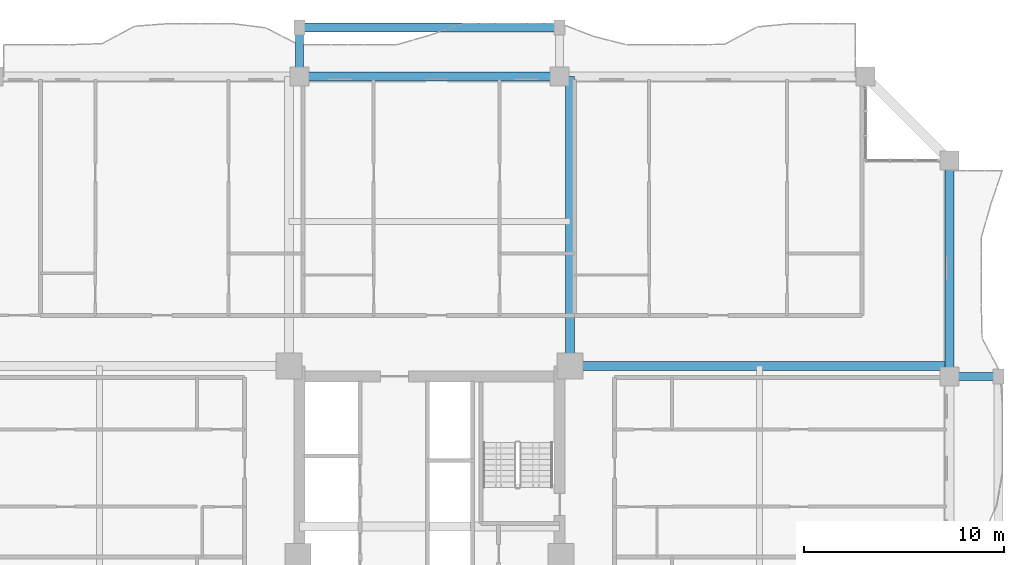
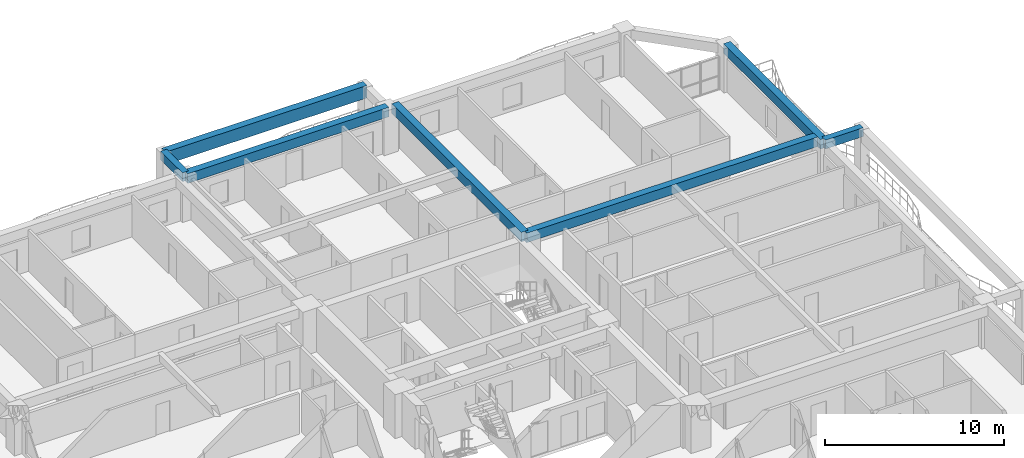
# One storey, part 9 of 25: 7 beams.
"""IFC4 building model written with IfcOpenShell, lengths in metres."""

from ifc_helpers import new_model, si_unit, direction, frame, origin, origin_2d, place, context, subcontext, project, spatial, rectangle, extrude, source, transform, mapped, material, material_profile, profile_set, type_object, element, save


model = new_model("IFC4")

# Units and contexts
model_context = context("Model", 3, precision=1e-05, world=origin(), true_north=direction((0.0, 1.0)))
body_context = subcontext(model_context, "Body", "Model", "MODEL_VIEW")
ifc_project = project(units=[si_unit("LENGTHUNIT", "METRE"), si_unit("AREAUNIT", "SQUARE_METRE"), si_unit("VOLUMEUNIT", "CUBIC_METRE"), si_unit("PLANEANGLEUNIT", "RADIAN"), si_unit("MASSUNIT", "GRAM", prefix="KILO")], contexts=[model_context])

# Site, building, storey
site_placement = place(None, origin())
site = spatial("IfcSite", under=ifc_project, at=site_placement, CompositionType="ELEMENT")
building_placement = place(site_placement, origin())
building = spatial("IfcBuilding", under=site, at=building_placement, Name="Saelheon Loggia Tower", CompositionType="ELEMENT")
storey_placement = place(building_placement, frame((0.0, 0.0, 80.85009765625)))
storey = spatial("IfcBuildingStorey", under=building, at=storey_placement, Name="L25", CompositionType="ELEMENT", Elevation=80.85009765625)

# Beams
ifc_material_1 = material(Name="Precast Concrete C45/55", Category="concrete")
ifc_material_profile_1 = material_profile(ifc_material_1, rectangle(XDim=0.449951171875, YDim=0.85009765625, at=origin_2d()), Name="RC-450x850")
ifc_profile_set_1 = profile_set([ifc_material_profile_1], Name="Precast Concrete C45/55")
beam_type_1 = type_object("IfcBeamType", Name="Beam_LoggiaSpandrel_RC450x850", PredefinedType="SPANDREL", material=ifc_profile_set_1)
shared_shape_1 = source(origin(), body_context, "Body", "SweptSolid", [
    extrude(rectangle(XDim=0.449951171875, YDim=0.85009765625, at=origin_2d()), origin(), (0.0, 0.0, 1.0), 13.0),
])
beam_1_placement = place(storey_placement, frame((31.5, 53.449951171875, 2.574951171875), z_axis=(1.0, 0.0, 0.0), x_axis=(0.0, 1.0, 0.0)))
element("IfcBeam", 1, at=beam_1_placement, inside=storey, type_object=beam_type_1, Name="L25 Loggia Spandrel Beam N", PredefinedType="SPANDREL", context=body_context, shape_type="MappedRepresentation", body=[
    mapped(shared_shape_1, transform((0.0, 0.0, 0.0), scale=1.0)),
])
ifc_material_profile_2 = material_profile(ifc_material_1, rectangle(XDim=0.39990234375, YDim=0.60009765625, at=origin_2d()), Name="RC-400x600")
ifc_profile_set_2 = profile_set([ifc_material_profile_2], Name="Precast Concrete C45/55")
beam_type_2 = type_object("IfcBeamType", Name="Beam_LoggiaTie_RC400x600", PredefinedType="BEAM", material=ifc_profile_set_2)
shared_shape_2 = source(origin(), body_context, "Body", "SweptSolid", [
    extrude(rectangle(XDim=0.39990234375, YDim=0.60009765625, at=origin_2d()), origin(), (0.0, 0.0, 1.0), 2.449951171875),
])
for number, where, z_axis, x_axis, name in (
    (2, (31.5, 51.0, 2.699951171875), (0.0, 1.0, 0.0), (-1.0, 0.0, 0.0), "L25 Loggia Frame Tie Beam LP-N1"),
    (3, (64.0, 36.0, 2.699951171875), (1.0, 0.0, 0.0), (0.0, 1.0, 0.0), "L25 Loggia Frame Tie Beam LP-E2"),
):
    element("IfcBeam", number, at=place(storey_placement, frame(where, z_axis=z_axis, x_axis=x_axis)), inside=storey, type_object=beam_type_2, Name=name, PredefinedType="BEAM", context=body_context, shape_type="MappedRepresentation", body=[
        mapped(shared_shape_2, transform((0.0, 0.0, 0.0), scale=1.0)),
    ])
ifc_material_2 = material(Name="Concrete C40/50", Category="concrete")
ifc_material_profile_3 = material_profile(ifc_material_2, rectangle(XDim=0.449951171875, YDim=0.64990234375, at=origin_2d()), Name="RC-450x650")
ifc_profile_set_3 = profile_set([ifc_material_profile_3], Name="Concrete C40/50")
beam_type_3 = type_object("IfcBeamType", Name="Beam_PerimTower_RC450x650", PredefinedType="BEAM", material=ifc_profile_set_3)
shared_shape_3 = source(origin(), body_context, "Body", "SweptSolid", [
    extrude(rectangle(XDim=0.449951171875, YDim=0.64990234375, at=origin_2d()), origin(), (0.0, 0.0, 1.0), 13.0),
])
beam_2_placement = place(storey_placement, frame((44.5, 51.0, 2.6748046875), z_axis=(-1.0, 0.0, 0.0), x_axis=(0.0, -1.0, 0.0)))
element("IfcBeam", 4, at=beam_2_placement, inside=storey, type_object=beam_type_3, Name="L25 Perimeter Frame Girder 10", PredefinedType="BEAM", context=body_context, shape_type="MappedRepresentation", body=[
    mapped(shared_shape_3, transform((0.0, 0.0, 0.0), scale=1.0)),
])
shared_shape_4 = source(origin(), body_context, "Body", "SweptSolid", [
    extrude(rectangle(XDim=0.449951171875, YDim=0.64990234375, at=origin_2d()), origin(), (0.0, 0.0, 1.0), 10.800048828125),
])
beam_3_placement = place(storey_placement, frame((64.0, 36.0, 2.6748046875), z_axis=(0.0, 1.0, 0.0), x_axis=(-1.0, 0.0, 0.0)))
element("IfcBeam", 5, at=beam_3_placement, inside=storey, type_object=beam_type_3, Name="L25 Perimeter Frame Girder 07", PredefinedType="BEAM", context=body_context, shape_type="MappedRepresentation", body=[
    mapped(shared_shape_4, transform((0.0, 0.0, 0.0), scale=1.0)),
])
ifc_material_profile_4 = material_profile(ifc_material_2, rectangle(XDim=0.449951171875, YDim=0.64990234375, at=origin_2d()), Name="RC-450x650")
ifc_profile_set_4 = profile_set([ifc_material_profile_4], Name="Concrete C40/50")
beam_type_4 = type_object("IfcBeamType", Name="Beam_TowerGirder_RC450x650", PredefinedType="BEAM", material=ifc_profile_set_4)
shared_shape_5 = source(origin(), body_context, "Body", "SweptSolid", [
    extrude(rectangle(XDim=0.449951171875, YDim=0.64990234375, at=origin_2d()), origin(), (0.0, 0.0, 1.0), 14.47998046875),
])
beam_4_placement = place(storey_placement, frame((45.02001953125, 36.52001953125, 2.6748046875), z_axis=(0.0, 1.0, 0.0), x_axis=(-1.0, 0.0, 0.0)))
element("IfcBeam", 6, at=beam_4_placement, inside=storey, type_object=beam_type_4, Name="L25 Radial Floor Girder RAD-NE-N", PredefinedType="BEAM", context=body_context, shape_type="MappedRepresentation", body=[
    mapped(shared_shape_5, transform((0.0, 0.0, 0.0), scale=1.0)),
])
shared_shape_6 = source(origin(), body_context, "Body", "SweptSolid", [
    extrude(rectangle(XDim=0.449951171875, YDim=0.64990234375, at=origin_2d()), origin(), (0.0, 0.0, 1.0), 18.97998046875),
])
beam_5_placement = place(storey_placement, frame((45.02001953125, 36.52001953125, 2.6748046875), z_axis=(1.0, 0.0, 0.0), x_axis=(0.0, 1.0, 0.0)))
element("IfcBeam", 7, at=beam_5_placement, inside=storey, type_object=beam_type_4, Name="L25 Radial Floor Girder RAD-NE-E", PredefinedType="BEAM", context=body_context, shape_type="MappedRepresentation", body=[
    mapped(shared_shape_6, transform((0.0, 0.0, 0.0), scale=1.0)),
])

save(model, "model.ifc")
